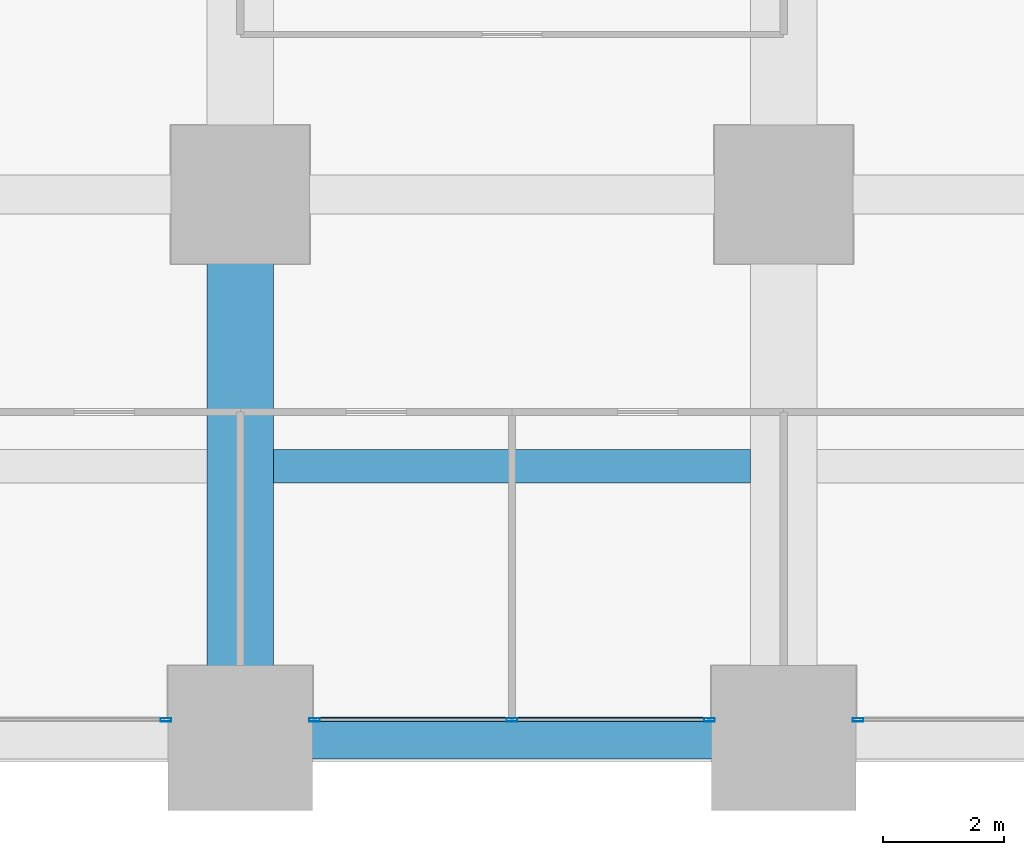
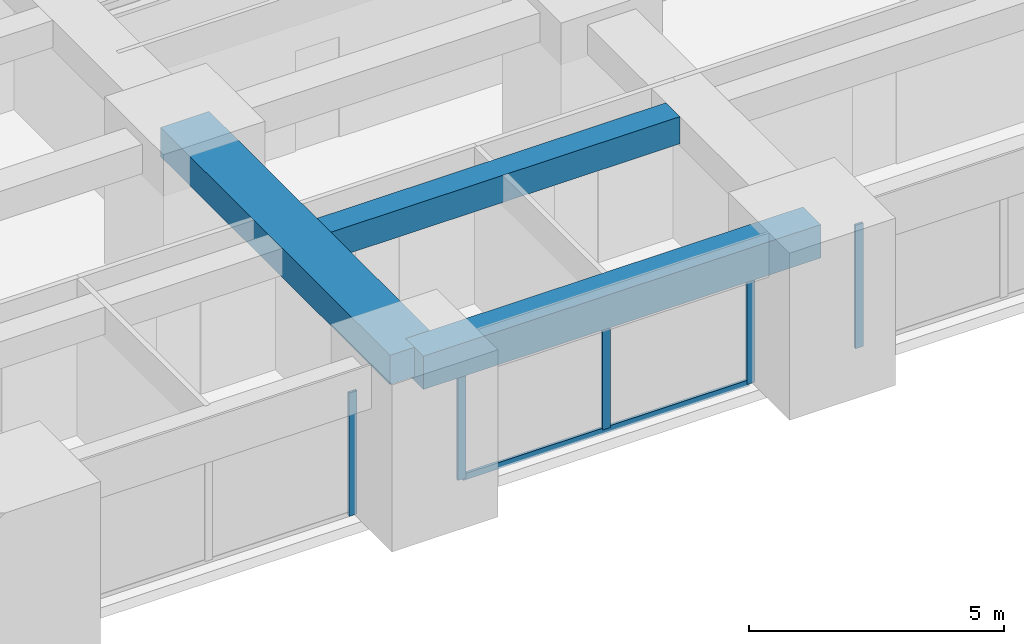
# One storey, part 6 of 45: 6 members, 3 beams, 3 elements without a shape of their own.
"""IFC4 building model written with IfcOpenShell, lengths in metres."""

from ifc_helpers import new_model, si_unit, direction, frame, origin, origin_2d, place, context, subcontext, project, spatial, rectangle, hollow_rectangle, extrude, material, material_profile, profile_set, type_object, element, aggregate, save


model = new_model("IFC4")

# Units and contexts
model_context = context("Model", 3, precision=1e-05, world=origin(), true_north=direction((0.0, 1.0)))
body_context = subcontext(model_context, "Body", "Model", "MODEL_VIEW")
ifc_project = project(units=[si_unit("LENGTHUNIT", "METRE"), si_unit("AREAUNIT", "SQUARE_METRE"), si_unit("VOLUMEUNIT", "CUBIC_METRE"), si_unit("PLANEANGLEUNIT", "RADIAN"), si_unit("MASSUNIT", "GRAM", prefix="KILO")], contexts=[model_context])

# Site, building, storey
site_placement = place(None, origin())
site = spatial("IfcSite", under=ifc_project, at=site_placement, CompositionType="ELEMENT")
building_placement = place(site_placement, origin())
building = spatial("IfcBuilding", under=site, at=building_placement, Name="Zorevar Civic Tower", CompositionType="ELEMENT")
storey_placement = place(building_placement, frame((0.0, 0.0, 47.800048828125)))
storey = spatial("IfcBuildingStorey", under=building, at=storey_placement, Name="L11", CompositionType="ELEMENT", Elevation=47.800048828125)

# Beams
ifc_material_1 = material(Name="Concrete C50/60", Category="concrete")
ifc_material_profile_1 = material_profile(ifc_material_1, rectangle(XDim=1.10009765625, YDim=0.699951171875, at=origin_2d()), Name="RC 1100x700")
ifc_profile_set_1 = profile_set([ifc_material_profile_1], Name="Concrete C50/60")
beam_type_1 = type_object("IfcBeamType", Name="Beam RC 1100x700", PredefinedType="BEAM", material=ifc_profile_set_1)
beam_1_placement = place(storey_placement, frame((18.0, 0.0, 3.39990234375), z_axis=(0.0, 1.0, 0.0), x_axis=(-1.0, 0.0, 0.0)))
element("IfcBeam", 1, at=beam_1_placement, inside=storey, type_object=beam_type_1, Name="Girder L12", PredefinedType="BEAM", context=body_context, shape_type="SweptSolid", body=[
    extrude(rectangle(XDim=1.10009765625, YDim=0.699951171875, at=origin_2d()), origin(), (0.0, 0.0, 1.0), 9.0),
])
ifc_material_2 = material(Name="Concrete C50/60", Category="concrete")
ifc_material_profile_2 = material_profile(ifc_material_2, rectangle(XDim=0.550048828125, YDim=0.64990234375, at=origin_2d()), Name="RC 550x650")
ifc_profile_set_2 = profile_set([ifc_material_profile_2], Name="Concrete C50/60")
beam_type_2 = type_object("IfcBeamType", Name="Beam RC 550x650", PredefinedType="BEAM", material=ifc_profile_set_2)
beam_2_placement = place(storey_placement, frame((18.550048828125, 4.5, 3.425048828125), z_axis=(1.0, 0.0, 0.0), x_axis=(0.0, 1.0, 0.0)))
element("IfcBeam", 2, at=beam_2_placement, inside=storey, type_object=beam_type_2, Name="Secondary beam L12", PredefinedType="BEAM", context=body_context, shape_type="SweptSolid", body=[
    extrude(rectangle(XDim=0.550048828125, YDim=0.64990234375, at=origin_2d()), origin(), (0.0, 0.0, 1.0), 7.89990234375),
])

# Curtain wall, member
ifc_material_3 = material(Name="Dark grey solar-control glass in black aluminium frame", Category="aluminium")
curtain_wall_type = type_object("IfcCurtainWallType", Name="Curtain wall CW2 low zone", PredefinedType="NOTDEFINED", material=ifc_material_3)
curtain_wall_1_placement = place(storey_placement, origin())
curtain_wall_1 = element("IfcCurtainWall", 3, at=curtain_wall_1_placement, inside=storey, type_object=curtain_wall_type, Name="CW2 L11", PredefinedType="NOTDEFINED")
ifc_material_4 = material(Name="Aluminium, black anodised", Category="aluminium")
ifc_material_profile_3 = material_profile(ifc_material_4, hollow_rectangle(XDim=0.06005859375, YDim=0.179931640625, WallThickness=0.00390625, at=origin_2d()), Name="AL 180x60x4")
ifc_profile_set_3 = profile_set([ifc_material_profile_3], Name="Aluminium, black anodised")
member_type_1 = type_object("IfcMemberType", Name="CW2 mullion AL 180x60x4", PredefinedType="MULLION", material=ifc_profile_set_3)
member_1_placement = place(storey_placement, frame((16.77001953125, 0.300048828125, 0.0), z_axis=(0.0, 0.0, 1.0), x_axis=(0.0, 1.0, 0.0)))
member_1 = element("IfcMember", 4, at=member_1_placement, type_object=member_type_1, Name="CW2 mullion 3", PredefinedType="MULLION", context=body_context, shape_type="SweptSolid", body=[
    extrude(hollow_rectangle(XDim=0.06005859375, YDim=0.179931640625, WallThickness=0.00390625, at=origin_2d()), origin(), (0.0, 0.0, 1.0), 2.949951171875),
])
aggregate(curtain_wall_1, [member_1])

# Curtain wall, members
curtain_wall_2_placement = place(storey_placement, origin())
curtain_wall_2 = element("IfcCurtainWall", 5, at=curtain_wall_2_placement, inside=storey, type_object=curtain_wall_type, Name="CW2 L11", PredefinedType="NOTDEFINED")
member_2_placement = place(storey_placement, frame((19.22998046875, 0.300048828125, 0.0), z_axis=(0.0, 0.0, 1.0), x_axis=(0.0, 1.0, 0.0)))
member_2 = element("IfcMember", 6, at=member_2_placement, type_object=member_type_1, Name="CW2 mullion 1", PredefinedType="MULLION", context=body_context, shape_type="SweptSolid", body=[
    extrude(hollow_rectangle(XDim=0.06005859375, YDim=0.179931640625, WallThickness=0.00390625, at=origin_2d()), origin(), (0.0, 0.0, 1.0), 2.949951171875),
])
member_3_placement = place(storey_placement, frame((22.5, 0.300048828125, 0.06005859375), z_axis=(0.0, 0.0, 1.0), x_axis=(0.0, 1.0, 0.0)))
member_3 = element("IfcMember", 7, at=member_3_placement, type_object=member_type_1, Name="CW2 mullion 2", PredefinedType="MULLION", context=body_context, shape_type="SweptSolid", body=[
    extrude(hollow_rectangle(XDim=0.06005859375, YDim=0.179931640625, WallThickness=0.00390625, at=origin_2d()), origin(), (0.0, 0.0, 1.0), 2.889892578125),
])
member_4_placement = place(storey_placement, frame((25.77001953125, 0.300048828125, 0.0), z_axis=(0.0, 0.0, 1.0), x_axis=(0.0, 1.0, 0.0)))
member_4 = element("IfcMember", 8, at=member_4_placement, type_object=member_type_1, Name="CW2 mullion 3", PredefinedType="MULLION", context=body_context, shape_type="SweptSolid", body=[
    extrude(hollow_rectangle(XDim=0.06005859375, YDim=0.179931640625, WallThickness=0.00390625, at=origin_2d()), origin(), (0.0, 0.0, 1.0), 2.949951171875),
])

# Curtain wall, member
curtain_wall_3_placement = place(storey_placement, origin())
curtain_wall_3 = element("IfcCurtainWall", 9, at=curtain_wall_3_placement, inside=storey, type_object=curtain_wall_type, Name="CW2 L11", PredefinedType="NOTDEFINED")
member_5_placement = place(storey_placement, frame((28.22998046875, 0.300048828125, 0.0), z_axis=(0.0, 0.0, 1.0), x_axis=(0.0, 1.0, 0.0)))
member_5 = element("IfcMember", 10, at=member_5_placement, type_object=member_type_1, Name="CW2 mullion 1", PredefinedType="MULLION", context=body_context, shape_type="SweptSolid", body=[
    extrude(hollow_rectangle(XDim=0.06005859375, YDim=0.179931640625, WallThickness=0.00390625, at=origin_2d()), origin(), (0.0, 0.0, 1.0), 2.949951171875),
])
aggregate(curtain_wall_3, [member_5])

# Member
ifc_material_5 = material(Name="Aluminium, black anodised", Category="aluminium")
ifc_material_profile_4 = material_profile(ifc_material_5, hollow_rectangle(XDim=0.06005859375, YDim=0.14990234375, WallThickness=0.00390625, at=origin_2d()), Name="AL 150x60x4")
ifc_profile_set_4 = profile_set([ifc_material_profile_4], Name="Aluminium, black anodised")
member_type_2 = type_object("IfcMemberType", Name="CW2 transom AL 150x60x4", PredefinedType="USERDEFINED", material=ifc_profile_set_4)
member_6_placement = place(storey_placement, frame((19.260009765625, 0.300048828125, 0.030029296875), z_axis=(1.0, 0.0, 0.0), x_axis=(0.0, 1.0, 0.0)))
member_6 = element("IfcMember", 11, at=member_6_placement, type_object=member_type_2, Name="CW2 sill transom", ObjectType="TRANSOM", PredefinedType="USERDEFINED", context=body_context, shape_type="SweptSolid", body=[
    extrude(hollow_rectangle(XDim=0.06005859375, YDim=0.14990234375, WallThickness=0.00390625, at=origin_2d()), origin(), (0.0, 0.0, 1.0), 6.47998046875),
])

aggregate(curtain_wall_2, [member_2, member_3, member_4, member_6])

# Beam
ifc_material_6 = material(Name="Concrete C50/60", Category="concrete")
ifc_material_profile_5 = material_profile(ifc_material_6, rectangle(XDim=0.699951171875, YDim=0.800048828125, at=origin_2d()), Name="RC 700x800")
ifc_profile_set_5 = profile_set([ifc_material_profile_5], Name="Concrete C50/60")
beam_type_3 = type_object("IfcBeamType", Name="Edge beam RC 700x800", PredefinedType="SPANDREL", material=ifc_profile_set_5)
beam_3_placement = place(storey_placement, frame((18.0, 0.0, 3.349853515625), z_axis=(1.0, 0.0, 0.0), x_axis=(0.0, 1.0, 0.0)))
element("IfcBeam", 12, at=beam_3_placement, inside=storey, type_object=beam_type_3, Name="Edge beam L12", PredefinedType="SPANDREL", context=body_context, shape_type="SweptSolid", body=[
    extrude(rectangle(XDim=0.699951171875, YDim=0.800048828125, at=origin_2d()), origin(), (0.0, 0.0, 1.0), 9.0),
])

save(model, "model.ifc")
